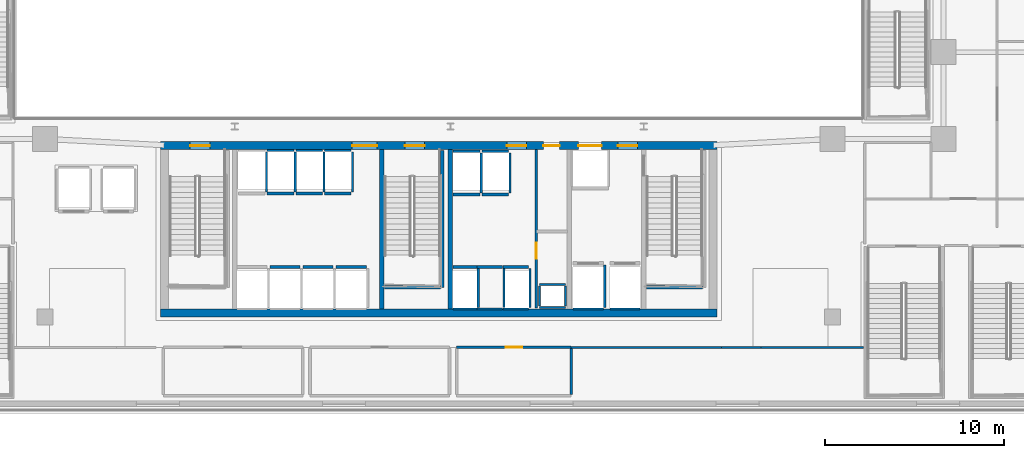
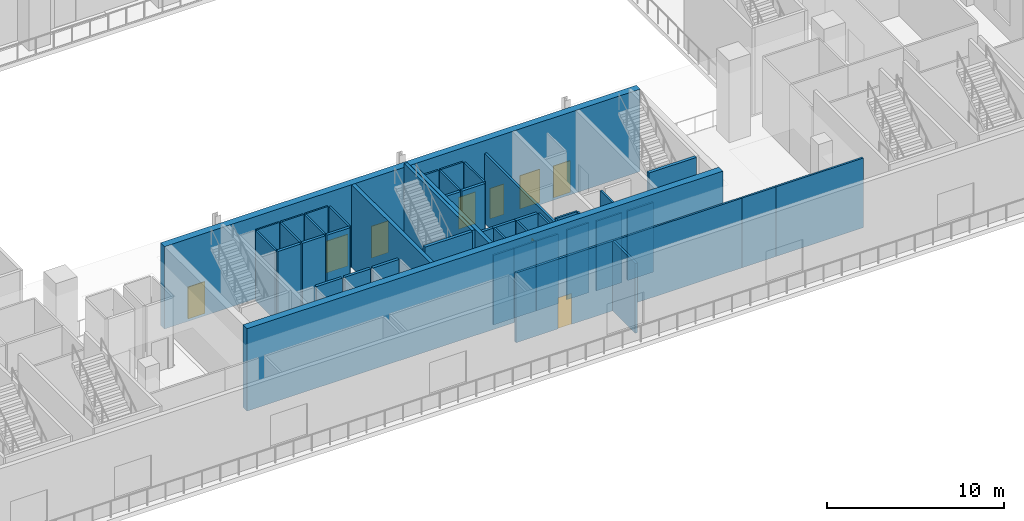
# One storey, part 9 of 29: 48 walls, 9 doors, 9 openings.
"""IFC4 building model written with IfcOpenShell, lengths in metres."""

import ifcopenshell
import ifcopenshell.guid

model = None  # the IFC model being written
_history = None  # IfcOwnerHistory: only IFC2X3 demands one
_inside = {}  # id of a spatial element -> (the spatial element, [elements in it])
_under = {}  # id of a project, library or spatial element -> (it, [spatial elements below it])
_declared = {}  # id of a project -> (the project, [libraries it declares])
_typed = {}  # id of a type object -> (the type object, [elements of that type])
_made_of = {}  # id of a material, layer set ... -> (it, [elements and type objects made of it])


def new_model(schema):
    """Start an empty IFC model of exactly this schema.

    Asked for "IFC4X3", IfcOpenShell would pick the latest addendum, in which some entities
    have other attributes; the version numbers below select the first issue.
    IFC2X3 requires an IfcOwnerHistory on every rooted entity: one is made here for all.
    """
    global model, _history
    if schema == "IFC4X3":
        model = ifcopenshell.file(schema_version=(4, 3, 0, 0))
    else:
        model = ifcopenshell.file(schema=schema)
    _inside.clear()
    _under.clear()
    _declared.clear()
    _typed.clear()
    _made_of.clear()
    _history = None
    if model.schema == "IFC2X3":
        org = make("IfcOrganization", Name="unknown")
        user = make(
            "IfcPersonAndOrganization",
            ThePerson=make("IfcPerson", FamilyName="unknown"),
            TheOrganization=org,
        )
        app = make(
            "IfcApplication",
            ApplicationDeveloper=org,
            Version="unknown",
            ApplicationFullName="unknown",
            ApplicationIdentifier="unknown",
        )
        _history = make(
            "IfcOwnerHistory",
            OwningUser=user,
            OwningApplication=app,
            ChangeAction="ADDED",
            CreationDate=0,
        )
    return model


def make(cls, **values):
    """One entity of the class cls with the attributes given. An attribute that is None is left unset."""
    return model.create_entity(
        cls, **{name: value for name, value in values.items() if value is not None}
    )


def rooted(cls, **values):
    """An entity with a GlobalId (a new one), such as an element, a storey or a relation."""
    return make(cls, GlobalId=ifcopenshell.guid.new(), OwnerHistory=_history, **values)


def si_unit(unit_type, name, prefix=None):
    """IfcSIUnit, for example si_unit("LENGTHUNIT", "METRE", prefix="MILLI")."""
    return make("IfcSIUnit", UnitType=unit_type, Prefix=prefix, Name=name)


def assignment(units):
    """IfcUnitAssignment: the units of a project."""
    return None if units is None else make("IfcUnitAssignment", Units=units)


def point(xyz):
    """IfcCartesianPoint."""
    return None if xyz is None else make("IfcCartesianPoint", Coordinates=xyz)


def direction(xyz):
    """IfcDirection."""
    return None if xyz is None else make("IfcDirection", DirectionRatios=xyz)


def frame(location, z_axis=None, x_axis=None):
    """IfcAxis2Placement3D, a coordinate frame: its origin and axes. An axis left out is left unset."""
    return make(
        "IfcAxis2Placement3D",
        Location=point(location),
        Axis=direction(z_axis),
        RefDirection=direction(x_axis),
    )


def frame_2d(location, x_axis=None):
    """IfcAxis2Placement2D, a coordinate frame in the plane: its origin and x axis."""
    return make(
        "IfcAxis2Placement2D", Location=point(location), RefDirection=direction(x_axis)
    )


def origin():
    """The frame at (0, 0, 0) with its axes left unset."""
    return frame((0.0, 0.0, 0.0))


def place(relative_to, where):
    """IfcLocalPlacement: puts the frame where relative to a parent placement (None: the world)."""
    return make(
        "IfcLocalPlacement", PlacementRelTo=relative_to, RelativePlacement=where
    )


def context(
    kind, dimensions, precision=None, world=None, true_north=None, identifier=None
):
    """IfcGeometricRepresentationContext, for example the 3D "Model" context."""
    return make(
        "IfcGeometricRepresentationContext",
        ContextIdentifier=identifier,
        ContextType=kind,
        CoordinateSpaceDimension=dimensions,
        Precision=precision,
        WorldCoordinateSystem=world,
        TrueNorth=true_north,
    )


def subcontext(parent, identifier, kind, view, scale=None):
    """IfcGeometricRepresentationSubContext, for example "Body" below "Model"."""
    return make(
        "IfcGeometricRepresentationSubContext",
        ContextIdentifier=identifier,
        ContextType=kind,
        ParentContext=parent,
        TargetScale=scale,
        TargetView=view,
    )


def project(units=None, contexts=None):
    """IfcProject with its units and contexts."""
    return rooted(
        "IfcProject",
        Name="project",
        RepresentationContexts=contexts,
        UnitsInContext=assignment(units),
    )


def spatial(cls, under=None, at=None, **own):
    """A site, building, storey or space (cls), placed at a placement, below another one or the project."""
    s = rooted(cls, ObjectPlacement=at, **own)
    if under is not None:
        _under.setdefault(under.id(), (under, []))[1].append(s)
    return s


def profile(cls, at=None, kind="AREA", **sizes):
    """A parametric profile (cls). Its sizes go by their IFC names, for example OverallWidth=200.0."""
    return make(cls, ProfileType=kind, Position=at, **sizes)


def rectangle(**sizes):
    """IfcRectangleProfileDef."""
    return profile("IfcRectangleProfileDef", **sizes)


def extrude(swept, where, along, depth):
    """IfcExtrudedAreaSolid: the profile swept, set in the frame where, extruded along a direction by depth."""
    return make(
        "IfcExtrudedAreaSolid",
        SweptArea=swept,
        Position=where,
        ExtrudedDirection=direction(along),
        Depth=depth,
    )


def shape(context_of_items, identifier, shape_type, items):
    """IfcShapeRepresentation: the items that make up one representation, for example the "Body"."""
    return make(
        "IfcShapeRepresentation",
        ContextOfItems=context_of_items,
        RepresentationIdentifier=identifier,
        RepresentationType=shape_type,
        Items=items,
    )


def material(Name=None, Category=None):
    """IfcMaterial."""
    return make("IfcMaterial", Name=Name, Category=Category)


def layer(
    of_material, thickness, ventilated=None, Name=None, Category=None, Priority=None
):
    """IfcMaterialLayer: one layer of a wall or slab, of a material (None: an air gap)."""
    return make(
        "IfcMaterialLayer",
        Material=of_material,
        LayerThickness=thickness,
        IsVentilated=ventilated,
        Name=Name,
        Category=Category,
        Priority=Priority,
    )


def layer_set(layers, Name=None):
    """IfcMaterialLayerSet."""
    return make("IfcMaterialLayerSet", MaterialLayers=layers, LayerSetName=Name)


def made_of(thing, what):
    """Note that an element or type object is made of a material, layer set ...; save() writes the relation."""
    if what is not None:
        _made_of.setdefault(what.id(), (what, []))[1].append(thing)
    return thing


def type_object(cls, material=None, **own):
    """A type object (cls), such as IfcWallType, which elements share."""
    return made_of(rooted(cls, **own), material)


def element(
    cls,
    number,
    at=None,
    inside=None,
    cuts=None,
    type_object=None,
    material=None,
    context=None,
    identifier="Body",
    shape_type=None,
    held_by="IfcProductDefinitionShape",
    body=None,
    shapes=None,
    **own,
):
    """One element of the class cls, such as IfcWall. Its Tag is "e" and its number.

    at: its placement. inside: the storey or other place that contains it. cuts: it is an
    opening in that element (IfcRelVoidsElement). A single representation is given by context,
    identifier, shape_type and body (its items); several are given by shapes. held_by: the class
    of the entity that holds the representations. save() writes the other relations.
    """
    e = rooted(cls, Tag="e%d" % number, ObjectPlacement=at, **own)
    if body is not None:
        shapes = [shape(context, identifier, shape_type, body)]
    if shapes is not None:
        e.Representation = make(held_by, Representations=shapes)
    if inside is not None:
        _inside.setdefault(inside.id(), (inside, []))[1].append(e)
    if cuts is not None:
        rooted(
            "IfcRelVoidsElement", RelatingBuildingElement=cuts, RelatedOpeningElement=e
        )
    if type_object is not None:
        _typed.setdefault(type_object.id(), (type_object, []))[1].append(e)
    return made_of(e, material)


def fill(opening, filler):
    """IfcRelFillsElement: the door or window that sits in an opening."""
    return rooted(
        "IfcRelFillsElement",
        RelatingOpeningElement=opening,
        RelatedBuildingElement=filler,
    )


def aggregate(whole, parts):
    """IfcRelAggregates: a whole, such as a stair, and the parts it consists of."""
    return rooted("IfcRelAggregates", RelatingObject=whole, RelatedObjects=parts)


def save(model, path):
    """Write the relations noted so far, then the file.

    IfcRelAggregates (storeys below a building ...), IfcRelContainedInSpatialStructure (elements
    in a storey), IfcRelDefinesByType, IfcRelAssociatesMaterial and IfcRelDeclares: one each for
    every whole, place, type object, material and project.
    """
    for whole, parts in _under.values():
        aggregate(whole, parts)
    for where, things in _inside.values():
        rooted(
            "IfcRelContainedInSpatialStructure",
            RelatedElements=things,
            RelatingStructure=where,
        )
    for kind, things in _typed.values():
        rooted("IfcRelDefinesByType", RelatedObjects=things, RelatingType=kind)
    for what, things in _made_of.values():
        rooted("IfcRelAssociatesMaterial", RelatedObjects=things, RelatingMaterial=what)
    for by, libraries in _declared.values():
        rooted("IfcRelDeclares", RelatingContext=by, RelatedDefinitions=libraries)
    model.write(path)


model = new_model("IFC4")

# Units and contexts
model_context = context("Model", 3, precision=1e-05, world=origin(), true_north=direction((0.0, 1.0)))
body_context = subcontext(model_context, "Body", "Model", "MODEL_VIEW")
ifc_project = project(units=[si_unit("LENGTHUNIT", "METRE"), si_unit("AREAUNIT", "SQUARE_METRE"), si_unit("VOLUMEUNIT", "CUBIC_METRE"), si_unit("PLANEANGLEUNIT", "RADIAN"), si_unit("MASSUNIT", "GRAM", prefix="KILO")], contexts=[model_context])

# Site, building, storey
site_placement = place(None, origin())
site = spatial("IfcSite", under=ifc_project, at=site_placement, CompositionType="ELEMENT")
building_placement = place(site_placement, origin())
building = spatial("IfcBuilding", under=site, at=building_placement, Name="Ndaravel Arena Tower", CompositionType="ELEMENT")
storey_placement = place(building_placement, frame((0.0, 0.0, 12.0)))
storey = spatial("IfcBuildingStorey", under=building, at=storey_placement, Name="L02", CompositionType="ELEMENT", Elevation=12.0)

# Wall, opening, door
ifc_material_1 = material(Name="Gypsum", Category="gypsum")
ifc_layer_1 = layer(ifc_material_1, 0.14990234375)
ifc_layer_set_1 = layer_set([ifc_layer_1], Name="Gypsum")
wall_type_1 = type_object("IfcWallType", Name="WALL-COMP-150", PredefinedType="PARTITIONING", material=ifc_layer_set_1)
wall_1_placement = place(storey_placement, frame((47.449951171875, 5.89990234375, 0.0), z_axis=(0.0, 0.0, 1.0), x_axis=(0.0, 1.0, 0.0)))
wall_1 = element("IfcWall", 1, at=wall_1_placement, inside=storey, type_object=wall_type_1, Name="L02 Core Riser Bay Partition", PredefinedType="PARTITIONING", context=body_context, shape_type="SweptSolid", body=[
    extrude(rectangle(XDim=8.85009765625, YDim=0.14990234375, at=frame_2d((4.425048828125, 0.0))), origin(), (0.0, 0.0, 1.0), 4.819091796875),
])
opening_1_placement = place(wall_1_placement, frame((2.75, 0.0, 0.0)))
opening_1 = element("IfcOpeningElement", 2, at=opening_1_placement, cuts=wall_1, Name="Opening RD-01", PredefinedType="OPENING", context=body_context, shape_type="SweptSolid", body=[
    extrude(rectangle(XDim=0.89990234375, YDim=2.10009765625, at=frame_2d((0.449951171875, 1.050048828125))), frame((0.0, 0.074951171875, 0.0), z_axis=(0.0, -1.0, 0.0), x_axis=(1.0, 0.0, 0.0)), (0.0, 0.0, 1.0), 0.14990234375),
])
ifc_material_2 = material(Name="Steel S355", Category="steel")
door_type_1 = type_object("IfcDoorType", Name="DT-08-RISER-900", OperationType="SINGLE_SWING_LEFT", PredefinedType="DOOR", material=ifc_material_2)
door_1_placement = place(opening_1_placement, origin())
door_1 = element("IfcDoor", 3, at=door_1_placement, inside=storey, type_object=door_type_1, Name="L02 Electrical Riser Door", OperationType="SINGLE_SWING_RIGHT", OverallHeight=2.10009765625, OverallWidth=0.89990234375, PredefinedType="DOOR", context=body_context, shape_type="SweptSolid", body=[
    extrude(rectangle(XDim=0.89990234375, YDim=2.10009765625, at=frame_2d((0.449951171875, 1.050048828125))), frame((0.0, 0.02490234375, 0.0), z_axis=(0.0, -1.0, 0.0), x_axis=(1.0, 0.0, 0.0)), (0.0, 0.0, 1.0), 0.050048828125),
])
fill(opening_1, door_1)

# Walls
ifc_material_3 = material(Name="Concrete C60/75", Category="concrete")
ifc_layer_2 = layer(ifc_material_3, 0.25)
ifc_layer_set_2 = layer_set([ifc_layer_2], Name="Concrete C60/75")
wall_type_2 = type_object("IfcWallType", Name="WALL-CORE-250", PredefinedType="SOLIDWALL", material=ifc_layer_set_2)
for number, where, z_axis, x_axis, name in (
    (4, (38.800048828125, 5.85009765625, 0.0), (0.0, 0.0, 1.0), (0.0, 1.0, 0.0), "L02 Core Web Shear Wall 2"),
    (5, (42.64990234375, 5.85009765625, 0.0), (0.0, 0.0, 1.0), (0.0, 1.0, 0.0), "L02 Core Web Shear Wall 3"),
):
    element("IfcWall", number, at=place(storey_placement, frame(where, z_axis=z_axis, x_axis=x_axis)), inside=storey, type_object=wall_type_2, Name=name, PredefinedType="SOLIDWALL", context=body_context, shape_type="SweptSolid", body=[
        extrude(rectangle(XDim=8.89990234375, YDim=0.25, at=frame_2d((4.449951171875, 0.0))), origin(), (0.0, 0.0, 1.0), 5.699951171875),
    ])

# Wall, openings, doors
ifc_material_4 = material(Name="Concrete C60/75", Category="concrete")
ifc_layer_3 = layer(ifc_material_4, 0.449951171875)
ifc_layer_set_3 = layer_set([ifc_layer_3], Name="Concrete C60/75")
wall_type_3 = type_object("IfcWallType", Name="WALL-CORE-450", PredefinedType="SOLIDWALL", material=ifc_layer_set_3)
wall_2_placement = place(storey_placement, frame((26.449951171875, 14.97509765625, 0.0), z_axis=(0.0, 0.0, 1.0), x_axis=(1.0, 0.0, 0.0)))
wall_2 = element("IfcWall", 6, at=wall_2_placement, inside=storey, type_object=wall_type_3, Name="L02 Core North Shear Wall", PredefinedType="SOLIDWALL", context=body_context, shape_type="SweptSolid", body=[
    extrude(rectangle(XDim=31.10009765625, YDim=0.449951171875, at=frame_2d((15.550048828125, 0.0))), origin(), (0.0, 0.0, 1.0), 5.699951171875),
])
opening_2_placement = place(wall_2_placement, frame((1.64990234375, 0.0, 0.0)))
opening_2 = element("IfcOpeningElement", 7, at=opening_2_placement, cuts=wall_2, Name="Opening FD-01", PredefinedType="OPENING", context=body_context, shape_type="SweptSolid", body=[
    extrude(rectangle(XDim=1.10009765625, YDim=2.199951171875, at=frame_2d((0.550048828125, 1.10009765625))), frame((0.0, 0.22509765625, 0.0), z_axis=(0.0, -1.0, 0.0), x_axis=(1.0, 0.0, 0.0)), (0.0, 0.0, 1.0), 0.449951171875),
])
opening_3_placement = place(wall_2_placement, frame((13.64990234375, 0.0, 0.0)))
opening_3 = element("IfcOpeningElement", 8, at=opening_3_placement, cuts=wall_2, Name="Opening FD-01", PredefinedType="OPENING", context=body_context, shape_type="SweptSolid", body=[
    extrude(rectangle(XDim=1.10009765625, YDim=2.199951171875, at=frame_2d((0.550048828125, 1.10009765625))), frame((0.0, 0.22509765625, 0.0), z_axis=(0.0, -1.0, 0.0), x_axis=(1.0, 0.0, 0.0)), (0.0, 0.0, 1.0), 0.449951171875),
])
opening_4_placement = place(wall_2_placement, frame((25.550048828125, 0.0, 0.0)))
opening_4 = element("IfcOpeningElement", 9, at=opening_4_placement, cuts=wall_2, Name="Opening FD-01", PredefinedType="OPENING", context=body_context, shape_type="SweptSolid", body=[
    extrude(rectangle(XDim=1.10009765625, YDim=2.199951171875, at=frame_2d((0.550048828125, 1.10009765625))), frame((0.0, 0.22509765625, 0.0), z_axis=(0.0, -1.0, 0.0), x_axis=(1.0, 0.0, 0.0)), (0.0, 0.0, 1.0), 0.449951171875),
])
opening_5_placement = place(wall_2_placement, frame((10.699951171875, 0.0, 0.0)))
opening_5 = element("IfcOpeningElement", 10, at=opening_5_placement, cuts=wall_2, Name="Opening ID-02", PredefinedType="OPENING", context=body_context, shape_type="SweptSolid", body=[
    extrude(rectangle(XDim=1.39990234375, YDim=2.199951171875, at=frame_2d((0.699951171875, 1.10009765625))), frame((0.0, 0.22509765625, 0.0), z_axis=(0.0, -1.0, 0.0), x_axis=(1.0, 0.0, 0.0)), (0.0, 0.0, 1.0), 0.449951171875),
])
opening_6_placement = place(wall_2_placement, frame((19.35009765625, 0.0, 0.0)))
opening_6 = element("IfcOpeningElement", 11, at=opening_6_placement, cuts=wall_2, Name="Opening FD-01", PredefinedType="OPENING", context=body_context, shape_type="SweptSolid", body=[
    extrude(rectangle(XDim=1.10009765625, YDim=2.199951171875, at=frame_2d((0.550048828125, 1.10009765625))), frame((0.0, 0.22509765625, 0.0), z_axis=(0.0, -1.0, 0.0), x_axis=(1.0, 0.0, 0.0)), (0.0, 0.0, 1.0), 0.449951171875),
])
opening_7_placement = place(wall_2_placement, frame((21.39990234375, 0.0, 0.0)))
opening_7 = element("IfcOpeningElement", 12, at=opening_7_placement, cuts=wall_2, Name="Opening RD-01", PredefinedType="OPENING", context=body_context, shape_type="SweptSolid", body=[
    extrude(rectangle(XDim=0.89990234375, YDim=2.10009765625, at=frame_2d((0.449951171875, 1.050048828125))), frame((0.0, 0.22509765625, 0.0), z_axis=(0.0, -1.0, 0.0), x_axis=(1.0, 0.0, 0.0)), (0.0, 0.0, 1.0), 0.449951171875),
])
opening_8_placement = place(wall_2_placement, frame((23.35009765625, 0.0, 0.0)))
opening_8 = element("IfcOpeningElement", 13, at=opening_8_placement, cuts=wall_2, Name="Opening LD-02", PredefinedType="OPENING", context=body_context, shape_type="SweptSolid", body=[
    extrude(rectangle(XDim=1.300048828125, YDim=2.300048828125, at=frame_2d((0.64990234375, 1.14990234375))), frame((0.0, 0.22509765625, 0.0), z_axis=(0.0, -1.0, 0.0), x_axis=(1.0, 0.0, 0.0)), (0.0, 0.0, 1.0), 0.449951171875),
])
ifc_material_5 = material(Name="Steel S355", Category="steel")
door_type_2 = type_object("IfcDoorType", Name="DT-01-STAIR-1100", OperationType="SINGLE_SWING_LEFT", PredefinedType="DOOR", material=ifc_material_5)
door_2_placement = place(opening_2_placement, origin())
door_2 = element("IfcDoor", 14, at=door_2_placement, inside=storey, type_object=door_type_2, Name="L02 Exit Stair ST-1 Door", OperationType="SINGLE_SWING_LEFT", OverallHeight=2.199951171875, OverallWidth=1.10009765625, PredefinedType="DOOR", context=body_context, shape_type="SweptSolid", body=[
    extrude(rectangle(XDim=1.10009765625, YDim=2.199951171875, at=frame_2d((0.550048828125, 1.10009765625))), frame((0.0, 0.02490234375, 0.0), z_axis=(0.0, -1.0, 0.0), x_axis=(1.0, 0.0, 0.0)), (0.0, 0.0, 1.0), 0.050048828125),
])
fill(opening_2, door_2)
door_3_placement = place(opening_3_placement, origin())
door_3 = element("IfcDoor", 15, at=door_3_placement, inside=storey, type_object=door_type_2, Name="L02 Exit Stair ST-2 Door", OperationType="SINGLE_SWING_RIGHT", OverallHeight=2.199951171875, OverallWidth=1.10009765625, PredefinedType="DOOR", context=body_context, shape_type="SweptSolid", body=[
    extrude(rectangle(XDim=1.10009765625, YDim=2.199951171875, at=frame_2d((0.550048828125, 1.10009765625))), frame((0.0, 0.02490234375, 0.0), z_axis=(0.0, -1.0, 0.0), x_axis=(1.0, 0.0, 0.0)), (0.0, 0.0, 1.0), 0.050048828125),
])
fill(opening_3, door_3)
door_4_placement = place(opening_4_placement, origin())
door_4 = element("IfcDoor", 16, at=door_4_placement, inside=storey, type_object=door_type_2, Name="L02 Firefighting Lift Lobby Door", OperationType="SINGLE_SWING_RIGHT", OverallHeight=2.199951171875, OverallWidth=1.10009765625, PredefinedType="DOOR", context=body_context, shape_type="SweptSolid", body=[
    extrude(rectangle(XDim=1.10009765625, YDim=2.199951171875, at=frame_2d((0.550048828125, 1.10009765625))), frame((0.0, 0.02490234375, 0.0), z_axis=(0.0, -1.0, 0.0), x_axis=(1.0, 0.0, 0.0)), (0.0, 0.0, 1.0), 0.050048828125),
])
fill(opening_4, door_4)
door_5_placement = place(opening_6_placement, origin())
door_5 = element("IfcDoor", 17, at=door_5_placement, inside=storey, type_object=door_type_2, Name="L02 Express Lift Lobby Entry Door", OperationType="SINGLE_SWING_LEFT", OverallHeight=2.199951171875, OverallWidth=1.10009765625, PredefinedType="DOOR", context=body_context, shape_type="SweptSolid", body=[
    extrude(rectangle(XDim=1.10009765625, YDim=2.199951171875, at=frame_2d((0.550048828125, 1.10009765625))), frame((0.0, 0.02490234375, 0.0), z_axis=(0.0, -1.0, 0.0), x_axis=(1.0, 0.0, 0.0)), (0.0, 0.0, 1.0), 0.050048828125),
])
fill(opening_6, door_5)
ifc_material_6 = material(Name="Timber", Category="wood")
door_type_3 = type_object("IfcDoorType", Name="DT-04-SUITE-1400", OperationType="DOUBLE_DOOR_SINGLE_SWING", PredefinedType="DOOR", material=ifc_material_6)
door_6_placement = place(opening_5_placement, origin())
door_6 = element("IfcDoor", 18, at=door_6_placement, inside=storey, type_object=door_type_3, Name="L02 West Lift Lobby Entry Door", OperationType="DOUBLE_DOOR_SINGLE_SWING", OverallHeight=2.199951171875, OverallWidth=1.39990234375, PredefinedType="DOOR", context=body_context, shape_type="SweptSolid", body=[
    extrude(rectangle(XDim=1.39990234375, YDim=2.199951171875, at=frame_2d((0.699951171875, 1.10009765625))), frame((0.0, 0.02490234375, 0.0), z_axis=(0.0, -1.0, 0.0), x_axis=(1.0, 0.0, 0.0)), (0.0, 0.0, 1.0), 0.050048828125),
])
fill(opening_5, door_6)
ifc_material_7 = material(Name="Steel S355", Category="steel")
door_type_4 = type_object("IfcDoorType", Name="DT-07-SVLIFT-1300", OperationType="DOUBLE_DOOR_SLIDING", PredefinedType="DOOR", material=ifc_material_7)
door_7_placement = place(opening_8_placement, origin())
door_7 = element("IfcDoor", 19, at=door_7_placement, inside=storey, type_object=door_type_4, Name="L02 Lift SVL-1 Sliding Landing Door", OperationType="DOUBLE_DOOR_SLIDING", OverallHeight=2.300048828125, OverallWidth=1.300048828125, PredefinedType="DOOR", context=body_context, shape_type="SweptSolid", body=[
    extrude(rectangle(XDim=1.300048828125, YDim=2.300048828125, at=frame_2d((0.64990234375, 1.14990234375))), frame((0.0, 0.02490234375, 0.0), z_axis=(0.0, -1.0, 0.0), x_axis=(1.0, 0.0, 0.0)), (0.0, 0.0, 1.0), 0.050048828125),
])
fill(opening_8, door_7)
door_8_placement = place(opening_7_placement, origin())
door_8 = element("IfcDoor", 20, at=door_8_placement, inside=storey, type_object=door_type_1, Name="L02 Core Service Riser North Door", OperationType="SINGLE_SWING_LEFT", OverallHeight=2.10009765625, OverallWidth=0.89990234375, PredefinedType="DOOR", context=body_context, shape_type="SweptSolid", body=[
    extrude(rectangle(XDim=0.89990234375, YDim=2.10009765625, at=frame_2d((0.449951171875, 1.050048828125))), frame((0.0, 0.02490234375, 0.0), z_axis=(0.0, -1.0, 0.0), x_axis=(1.0, 0.0, 0.0)), (0.0, 0.0, 1.0), 0.050048828125),
])
fill(opening_7, door_8)

# Walls
wall_3_placement = place(storey_placement, frame((26.449951171875, 5.625, 0.0), z_axis=(0.0, 0.0, 1.0), x_axis=(1.0, 0.0, 0.0)))
element("IfcWall", 21, at=wall_3_placement, inside=storey, type_object=wall_type_3, Name="L02 Core South Shear Wall", PredefinedType="SOLIDWALL", context=body_context, shape_type="SweptSolid", body=[
    extrude(rectangle(XDim=31.10009765625, YDim=0.449951171875, at=frame_2d((15.550048828125, 0.0))), origin(), (0.0, 0.0, 1.0), 5.699951171875),
])
ifc_material_8 = material(Name="Gypsum", Category="gypsum")
ifc_layer_4 = layer(ifc_material_8, 0.125)
ifc_layer_set_4 = layer_set([ifc_layer_4], Name="Gypsum")
wall_type_4 = type_object("IfcWallType", Name="WALL-PART-125", PredefinedType="PARTITIONING", material=ifc_layer_set_4)
wall_4_placement = place(storey_placement, frame((60.0, 3.699951171875, 0.0), z_axis=(0.0, 0.0, 1.0), x_axis=(-1.0, 0.0, 0.0)))
element("IfcWall", 22, at=wall_4_placement, inside=storey, type_object=wall_type_4, Name="L02 Interior Partition 001", PredefinedType="PARTITIONING", context=body_context, shape_type="SweptSolid", body=[
    extrude(rectangle(XDim=2.199951171875, YDim=0.125, at=frame_2d((1.10009765625, 0.0))), origin(), (0.0, 0.0, 1.0), 4.819091796875),
])
wall_5_placement = place(storey_placement, frame((57.800048828125, 3.699951171875, 0.0), z_axis=(0.0, 0.0, 1.0), x_axis=(-1.0, 0.0, 0.0)))
element("IfcWall", 23, at=wall_5_placement, inside=storey, type_object=wall_type_4, Name="L02 Interior Partition 002", PredefinedType="PARTITIONING", context=body_context, shape_type="SweptSolid", body=[
    extrude(rectangle(XDim=8.400146484375, YDim=0.125, at=frame_2d((4.2001953125, 0.0))), origin(), (0.0, 0.0, 1.0), 4.819091796875),
])
wall_6_placement = place(storey_placement, frame((65.72998046875, 3.699951171875, 0.0), z_axis=(0.0, 0.0, 1.0), x_axis=(-1.0, 0.0, 0.0)))
element("IfcWall", 24, at=wall_6_placement, inside=storey, type_object=wall_type_4, Name="L02 Interior Partition 029", PredefinedType="PARTITIONING", context=body_context, shape_type="SweptSolid", body=[
    extrude(rectangle(XDim=5.72998046875, YDim=0.125, at=frame_2d((2.864990234375, 0.0))), origin(), (0.0, 0.0, 1.0), 4.819091796875),
])
ifc_material_9 = material(Name="Concrete C40/50", Category="concrete")
ifc_layer_5 = layer(ifc_material_9, 0.1201171875)
ifc_layer_set_5 = layer_set([ifc_layer_5], Name="Concrete C40/50")
wall_type_5 = type_object("IfcWallType", Name="WALL-SHAFT-120", PredefinedType="SOLIDWALL", material=ifc_layer_set_5)
for number, where, z_axis, x_axis, name in (
    (25, (47.6201171875, 5.919921875, 0.0), (0.0, 0.0, 1.0), (1.0, 0.0, 0.0), "L02 MEP Riser Shaft S Wall"),
    (26, (47.6201171875, 7.219970703125, 0.0), (0.0, 0.0, 1.0), (1.0, 0.0, 0.0), "L02 MEP Riser Shaft N Wall"),
):
    element("IfcWall", number, at=place(storey_placement, frame(where, z_axis=z_axis, x_axis=x_axis)), inside=storey, type_object=wall_type_5, Name=name, PredefinedType="SOLIDWALL", context=body_context, shape_type="SweptSolid", body=[
        extrude(rectangle(XDim=1.4599609375, YDim=0.1201171875, at=frame_2d((0.72998046875, 0.0))), origin(), (0.0, 0.0, 1.0), 4.819091796875),
    ])
for number, where, z_axis, x_axis, name in (
    (27, (47.6201171875, 6.0, 0.0), (0.0, 0.0, 1.0), (0.0, 1.0, 0.0), "L02 MEP Riser Shaft W Wall"),
    (28, (49.080078125, 6.0, 0.0), (0.0, 0.0, 1.0), (0.0, 1.0, 0.0), "L02 MEP Riser Shaft E Wall"),
):
    element("IfcWall", number, at=place(storey_placement, frame(where, z_axis=z_axis, x_axis=x_axis)), inside=storey, type_object=wall_type_5, Name=name, PredefinedType="SOLIDWALL", context=body_context, shape_type="SweptSolid", body=[
        extrude(rectangle(XDim=1.139892578125, YDim=0.1201171875, at=frame_2d((0.56982421875, 0.0))), origin(), (0.0, 0.0, 1.0), 4.819091796875),
    ])
wall_7_placement = place(storey_placement, frame((32.375, 12.389892578125, 0.0), z_axis=(0.0, 0.0, 1.0), x_axis=(0.0, 1.0, 0.0)))
element("IfcWall", 29, at=wall_7_placement, inside=storey, type_object=wall_type_5, Name="L02 PL-M1 Shaft Side R Wall", PredefinedType="SOLIDWALL", context=body_context, shape_type="SweptSolid", body=[
    extrude(rectangle(XDim=2.230224609375, YDim=0.1201171875, at=frame_2d((1.115234375, 0.0))), origin(), (0.0, 0.0, 1.0), 4.819091796875),
])
wall_8_placement = place(storey_placement, frame((32.405029296875, 14.7099609375, 0.0), z_axis=(0.0, 0.0, 1.0), x_axis=(1.0, 0.0, 0.0)))
element("IfcWall", 30, at=wall_8_placement, inside=storey, type_object=wall_type_5, Name="L02 PL-M2 Shaft Rear Wall", PredefinedType="SOLIDWALL", context=body_context, shape_type="SweptSolid", body=[
    extrude(rectangle(XDim=1.489990234375, YDim=0.1201171875, at=frame_2d((0.7451171875, 0.0))), origin(), (0.0, 0.0, 1.0), 4.819091796875),
])
wall_9_placement = place(storey_placement, frame((33.97509765625, 12.389892578125, 0.0), z_axis=(0.0, 0.0, 1.0), x_axis=(0.0, 1.0, 0.0)))
element("IfcWall", 31, at=wall_9_placement, inside=storey, type_object=wall_type_5, Name="L02 PL-M2 Shaft Side R Wall", PredefinedType="SOLIDWALL", context=body_context, shape_type="SweptSolid", body=[
    extrude(rectangle(XDim=2.230224609375, YDim=0.1201171875, at=frame_2d((1.115234375, 0.0))), origin(), (0.0, 0.0, 1.0), 4.819091796875),
])
wall_10_placement = place(storey_placement, frame((34.0048828125, 14.7099609375, 0.0), z_axis=(0.0, 0.0, 1.0), x_axis=(1.0, 0.0, 0.0)))
element("IfcWall", 32, at=wall_10_placement, inside=storey, type_object=wall_type_5, Name="L02 PL-M3 Shaft Rear Wall", PredefinedType="SOLIDWALL", context=body_context, shape_type="SweptSolid", body=[
    extrude(rectangle(XDim=1.490234375, YDim=0.1201171875, at=frame_2d((0.7451171875, 0.0))), origin(), (0.0, 0.0, 1.0), 4.819091796875),
])
wall_11_placement = place(storey_placement, frame((35.574951171875, 12.389892578125, 0.0), z_axis=(0.0, 0.0, 1.0), x_axis=(0.0, 1.0, 0.0)))
element("IfcWall", 33, at=wall_11_placement, inside=storey, type_object=wall_type_5, Name="L02 PL-M3 Shaft Side R Wall", PredefinedType="SOLIDWALL", context=body_context, shape_type="SweptSolid", body=[
    extrude(rectangle(XDim=2.230224609375, YDim=0.1201171875, at=frame_2d((1.115234375, 0.0))), origin(), (0.0, 0.0, 1.0), 4.819091796875),
])
wall_12_placement = place(storey_placement, frame((35.60498046875, 14.7099609375, 0.0), z_axis=(0.0, 0.0, 1.0), x_axis=(1.0, 0.0, 0.0)))
element("IfcWall", 34, at=wall_12_placement, inside=storey, type_object=wall_type_5, Name="L02 PL-M4 Shaft Rear Wall", PredefinedType="SOLIDWALL", context=body_context, shape_type="SweptSolid", body=[
    extrude(rectangle(XDim=1.489990234375, YDim=0.1201171875, at=frame_2d((0.7451171875, 0.0))), origin(), (0.0, 0.0, 1.0), 4.819091796875),
])
wall_13_placement = place(storey_placement, frame((37.175048828125, 12.389892578125, 0.0), z_axis=(0.0, 0.0, 1.0), x_axis=(0.0, 1.0, 0.0)))
element("IfcWall", 35, at=wall_13_placement, inside=storey, type_object=wall_type_5, Name="L02 PL-M4 Shaft Side R Wall", PredefinedType="SOLIDWALL", context=body_context, shape_type="SweptSolid", body=[
    extrude(rectangle(XDim=2.230224609375, YDim=0.1201171875, at=frame_2d((1.115234375, 0.0))), origin(), (0.0, 0.0, 1.0), 4.819091796875),
])
wall_14_placement = place(storey_placement, frame((42.780029296875, 5.840087890625, 0.0), z_axis=(0.0, 0.0, 1.0), x_axis=(1.0, 0.0, 0.0)))
element("IfcWall", 36, at=wall_14_placement, inside=storey, type_object=wall_type_5, Name="L02 PL-H1 Shaft Rear Wall", PredefinedType="SOLIDWALL", context=body_context, shape_type="SweptSolid", body=[
    extrude(rectangle(XDim=1.340087890625, YDim=0.1201171875, at=frame_2d((0.669921875, 0.0))), origin(), (0.0, 0.0, 1.0), 4.819091796875),
])
wall_15_placement = place(storey_placement, frame((44.199951171875, 5.929931640625, 0.0), z_axis=(0.0, 0.0, 1.0), x_axis=(0.0, 1.0, 0.0)))
element("IfcWall", 37, at=wall_15_placement, inside=storey, type_object=wall_type_5, Name="L02 PL-H1 Shaft Side R Wall", PredefinedType="SOLIDWALL", context=body_context, shape_type="SweptSolid", body=[
    extrude(rectangle(XDim=2.18017578125, YDim=0.1201171875, at=frame_2d((1.090087890625, 0.0))), origin(), (0.0, 0.0, 1.0), 4.819091796875),
])
wall_16_placement = place(storey_placement, frame((44.1298828125, 5.840087890625, 0.0), z_axis=(0.0, 0.0, 1.0), x_axis=(1.0, 0.0, 0.0)))
element("IfcWall", 38, at=wall_16_placement, inside=storey, type_object=wall_type_5, Name="L02 PL-H2 Shaft Rear Wall", PredefinedType="SOLIDWALL", context=body_context, shape_type="SweptSolid", body=[
    extrude(rectangle(XDim=1.440185546875, YDim=0.1201171875, at=frame_2d((0.72021484375, 0.0))), origin(), (0.0, 0.0, 1.0), 4.819091796875),
])
wall_17_placement = place(storey_placement, frame((45.64990234375, 5.929931640625, 0.0), z_axis=(0.0, 0.0, 1.0), x_axis=(0.0, 1.0, 0.0)))
element("IfcWall", 39, at=wall_17_placement, inside=storey, type_object=wall_type_5, Name="L02 PL-H2 Shaft Side R Wall", PredefinedType="SOLIDWALL", context=body_context, shape_type="SweptSolid", body=[
    extrude(rectangle(XDim=2.18017578125, YDim=0.1201171875, at=frame_2d((1.090087890625, 0.0))), origin(), (0.0, 0.0, 1.0), 4.819091796875),
])
wall_18_placement = place(storey_placement, frame((45.580078125, 5.840087890625, 0.0), z_axis=(0.0, 0.0, 1.0), x_axis=(1.0, 0.0, 0.0)))
element("IfcWall", 40, at=wall_18_placement, inside=storey, type_object=wall_type_5, Name="L02 PL-H3 Shaft Rear Wall", PredefinedType="SOLIDWALL", context=body_context, shape_type="SweptSolid", body=[
    extrude(rectangle(XDim=1.43994140625, YDim=0.1201171875, at=frame_2d((0.719970703125, 0.0))), origin(), (0.0, 0.0, 1.0), 4.819091796875),
])
wall_19_placement = place(storey_placement, frame((47.10009765625, 5.929931640625, 0.0), z_axis=(0.0, 0.0, 1.0), x_axis=(0.0, 1.0, 0.0)))
element("IfcWall", 41, at=wall_19_placement, inside=storey, type_object=wall_type_5, Name="L02 PL-H3 Shaft Side R Wall", PredefinedType="SOLIDWALL", context=body_context, shape_type="SweptSolid", body=[
    extrude(rectangle(XDim=2.18017578125, YDim=0.1201171875, at=frame_2d((1.090087890625, 0.0))), origin(), (0.0, 0.0, 1.0), 4.819091796875),
])
wall_20_placement = place(storey_placement, frame((42.804931640625, 14.659912109375, 0.0), z_axis=(0.0, 0.0, 1.0), x_axis=(1.0, 0.0, 0.0)))
element("IfcWall", 42, at=wall_20_placement, inside=storey, type_object=wall_type_5, Name="L02 PL-OBS1 Shaft Rear Wall", PredefinedType="SOLIDWALL", context=body_context, shape_type="SweptSolid", body=[
    extrude(rectangle(XDim=1.489990234375, YDim=0.1201171875, at=frame_2d((0.7451171875, 0.0))), origin(), (0.0, 0.0, 1.0), 4.819091796875),
])
wall_21_placement = place(storey_placement, frame((44.375, 12.340087890625, 0.0), z_axis=(0.0, 0.0, 1.0), x_axis=(0.0, 1.0, 0.0)))
element("IfcWall", 43, at=wall_21_placement, inside=storey, type_object=wall_type_5, Name="L02 PL-OBS1 Shaft Side R Wall", PredefinedType="SOLIDWALL", context=body_context, shape_type="SweptSolid", body=[
    extrude(rectangle(XDim=2.22998046875, YDim=0.1201171875, at=frame_2d((1.114990234375, 0.0))), origin(), (0.0, 0.0, 1.0), 4.819091796875),
])
wall_22_placement = place(storey_placement, frame((44.405029296875, 14.659912109375, 0.0), z_axis=(0.0, 0.0, 1.0), x_axis=(1.0, 0.0, 0.0)))
element("IfcWall", 44, at=wall_22_placement, inside=storey, type_object=wall_type_5, Name="L02 PL-OBS2 Shaft Rear Wall", PredefinedType="SOLIDWALL", context=body_context, shape_type="SweptSolid", body=[
    extrude(rectangle(XDim=1.489990234375, YDim=0.1201171875, at=frame_2d((0.7451171875, 0.0))), origin(), (0.0, 0.0, 1.0), 4.819091796875),
])
wall_23_placement = place(storey_placement, frame((45.97509765625, 12.340087890625, 0.0), z_axis=(0.0, 0.0, 1.0), x_axis=(0.0, 1.0, 0.0)))
element("IfcWall", 45, at=wall_23_placement, inside=storey, type_object=wall_type_5, Name="L02 PL-OBS2 Shaft Side R Wall", PredefinedType="SOLIDWALL", context=body_context, shape_type="SweptSolid", body=[
    extrude(rectangle(XDim=2.22998046875, YDim=0.1201171875, at=frame_2d((1.114990234375, 0.0))), origin(), (0.0, 0.0, 1.0), 4.819091796875),
])
wall_24_placement = place(storey_placement, frame((49.5048828125, 5.840087890625, 0.0), z_axis=(0.0, 0.0, 1.0), x_axis=(1.0, 0.0, 0.0)))
element("IfcWall", 46, at=wall_24_placement, inside=storey, type_object=wall_type_5, Name="L02 FFL-1 Shaft Rear Wall", PredefinedType="SOLIDWALL", context=body_context, shape_type="SweptSolid", body=[
    extrude(rectangle(XDim=1.690185546875, YDim=0.1201171875, at=frame_2d((0.84521484375, 0.0))), origin(), (0.0, 0.0, 1.0), 4.819091796875),
])
wall_25_placement = place(storey_placement, frame((51.27490234375, 5.929931640625, 0.0), z_axis=(0.0, 0.0, 1.0), x_axis=(0.0, 1.0, 0.0)))
element("IfcWall", 47, at=wall_25_placement, inside=storey, type_object=wall_type_5, Name="L02 FFL-1 Shaft Side R Wall", PredefinedType="SOLIDWALL", context=body_context, shape_type="SweptSolid", body=[
    extrude(rectangle(XDim=2.380126953125, YDim=0.1201171875, at=frame_2d((1.18994140625, 0.0))), origin(), (0.0, 0.0, 1.0), 4.819091796875),
])
wall_26_placement = place(storey_placement, frame((51.554931640625, 5.840087890625, 0.0), z_axis=(0.0, 0.0, 1.0), x_axis=(1.0, 0.0, 0.0)))
element("IfcWall", 48, at=wall_26_placement, inside=storey, type_object=wall_type_5, Name="L02 FFL-2 Shaft Rear Wall", PredefinedType="SOLIDWALL", context=body_context, shape_type="SweptSolid", body=[
    extrude(rectangle(XDim=1.690185546875, YDim=0.1201171875, at=frame_2d((0.84521484375, 0.0))), origin(), (0.0, 0.0, 1.0), 4.819091796875),
])
ifc_material_10 = material(Name="Concrete C40/50", Category="concrete")
ifc_layer_6 = layer(ifc_material_10, 0.199951171875)
ifc_layer_set_6 = layer_set([ifc_layer_6], Name="Concrete C40/50")
wall_type_6 = type_object("IfcWallType", Name="WALL-SHAFT-200", PredefinedType="SOLIDWALL", material=ifc_layer_set_6)
wall_27_placement = place(storey_placement, frame((42.18994140625, 14.699951171875, 0.0), z_axis=(0.0, 0.0, 1.0), x_axis=(0.0, -1.0, 0.0)))
element("IfcWall", 49, at=wall_27_placement, inside=storey, type_object=wall_type_6, Name="L02 ST-2 Structural Shaft Wall Right", PredefinedType="SOLIDWALL", context=body_context, shape_type="SweptSolid", body=[
    extrude(rectangle(XDim=7.64990234375, YDim=0.199951171875, at=frame_2d((3.824951171875, 0.0))), origin(), (0.0, 0.0, 1.0), 6.0),
])
for number, where, z_axis, x_axis, name in (
    (50, (38.969970703125, 7.050048828125, 0.0), (0.0, 0.0, 1.0), (1.0, 0.0, 0.0), "L02 ST-2 Structural Shaft Wall Far"),
    (51, (53.6201171875, 7.050048828125, 0.0), (0.0, 0.0, 1.0), (1.0, 0.0, 0.0), "L02 ST-3 Structural Shaft Wall Far"),
):
    element("IfcWall", number, at=place(storey_placement, frame(where, z_axis=z_axis, x_axis=x_axis)), inside=storey, type_object=wall_type_6, Name=name, PredefinedType="SOLIDWALL", context=body_context, shape_type="SweptSolid", body=[
        extrude(rectangle(XDim=3.114990234375, YDim=0.199951171875, at=frame_2d((1.5576171875, 0.0))), origin(), (0.0, 0.0, 1.0), 6.0),
    ])
wall_28_placement = place(storey_placement, frame((32.554931640625, 8.199951171875, 0.0), z_axis=(0.0, 0.0, 1.0), x_axis=(1.0, 0.0, 0.0)))
element("IfcWall", 52, at=wall_28_placement, inside=storey, type_object=wall_type_6, Name="L02 PL-L2 Shaft Landing Wall", PredefinedType="SOLIDWALL", context=body_context, shape_type="SweptSolid", body=[
    extrude(rectangle(XDim=1.690185546875, YDim=0.179931640625, at=frame_2d((0.84521484375, 0.0))), origin(), (0.0, 0.0, 1.0), 4.819091796875),
])
wall_29_placement = place(storey_placement, frame((34.405029296875, 8.199951171875, 0.0), z_axis=(0.0, 0.0, 1.0), x_axis=(1.0, 0.0, 0.0)))
element("IfcWall", 53, at=wall_29_placement, inside=storey, type_object=wall_type_6, Name="L02 PL-L3 Shaft Landing Wall", PredefinedType="SOLIDWALL", context=body_context, shape_type="SweptSolid", body=[
    extrude(rectangle(XDim=1.68994140625, YDim=0.179931640625, at=frame_2d((0.844970703125, 0.0))), origin(), (0.0, 0.0, 1.0), 4.819091796875),
])
wall_30_placement = place(storey_placement, frame((36.2548828125, 8.199951171875, 0.0), z_axis=(0.0, 0.0, 1.0), x_axis=(1.0, 0.0, 0.0)))
element("IfcWall", 54, at=wall_30_placement, inside=storey, type_object=wall_type_6, Name="L02 PL-L4 Shaft Landing Wall", PredefinedType="SOLIDWALL", context=body_context, shape_type="SweptSolid", body=[
    extrude(rectangle(XDim=1.690185546875, YDim=0.179931640625, at=frame_2d((0.84521484375, 0.0))), origin(), (0.0, 0.0, 1.0), 4.819091796875),
])
wall_31_placement = place(storey_placement, frame((32.405029296875, 12.300048828125, 0.0), z_axis=(0.0, 0.0, 1.0), x_axis=(1.0, 0.0, 0.0)))
element("IfcWall", 55, at=wall_31_placement, inside=storey, type_object=wall_type_6, Name="L02 PL-M2 Shaft Landing Wall", PredefinedType="SOLIDWALL", context=body_context, shape_type="SweptSolid", body=[
    extrude(rectangle(XDim=1.489990234375, YDim=0.179931640625, at=frame_2d((0.7451171875, 0.0))), origin(), (0.0, 0.0, 1.0), 4.819091796875),
])
wall_32_placement = place(storey_placement, frame((34.0048828125, 12.300048828125, 0.0), z_axis=(0.0, 0.0, 1.0), x_axis=(1.0, 0.0, 0.0)))
element("IfcWall", 56, at=wall_32_placement, inside=storey, type_object=wall_type_6, Name="L02 PL-M3 Shaft Landing Wall", PredefinedType="SOLIDWALL", context=body_context, shape_type="SweptSolid", body=[
    extrude(rectangle(XDim=1.490234375, YDim=0.179931640625, at=frame_2d((0.7451171875, 0.0))), origin(), (0.0, 0.0, 1.0), 4.819091796875),
])
wall_33_placement = place(storey_placement, frame((35.60498046875, 12.300048828125, 0.0), z_axis=(0.0, 0.0, 1.0), x_axis=(1.0, 0.0, 0.0)))
element("IfcWall", 57, at=wall_33_placement, inside=storey, type_object=wall_type_6, Name="L02 PL-M4 Shaft Landing Wall", PredefinedType="SOLIDWALL", context=body_context, shape_type="SweptSolid", body=[
    extrude(rectangle(XDim=1.489990234375, YDim=0.179931640625, at=frame_2d((0.7451171875, 0.0))), origin(), (0.0, 0.0, 1.0), 4.819091796875),
])
wall_34_placement = place(storey_placement, frame((42.780029296875, 8.199951171875, 0.0), z_axis=(0.0, 0.0, 1.0), x_axis=(1.0, 0.0, 0.0)))
element("IfcWall", 58, at=wall_34_placement, inside=storey, type_object=wall_type_6, Name="L02 PL-H1 Shaft Landing Wall", PredefinedType="SOLIDWALL", context=body_context, shape_type="SweptSolid", body=[
    extrude(rectangle(XDim=1.340087890625, YDim=0.179931640625, at=frame_2d((0.669921875, 0.0))), origin(), (0.0, 0.0, 1.0), 4.819091796875),
])
wall_35_placement = place(storey_placement, frame((44.1298828125, 8.199951171875, 0.0), z_axis=(0.0, 0.0, 1.0), x_axis=(1.0, 0.0, 0.0)))
element("IfcWall", 59, at=wall_35_placement, inside=storey, type_object=wall_type_6, Name="L02 PL-H2 Shaft Landing Wall", PredefinedType="SOLIDWALL", context=body_context, shape_type="SweptSolid", body=[
    extrude(rectangle(XDim=1.440185546875, YDim=0.179931640625, at=frame_2d((0.72021484375, 0.0))), origin(), (0.0, 0.0, 1.0), 4.819091796875),
])
wall_36_placement = place(storey_placement, frame((45.580078125, 8.199951171875, 0.0), z_axis=(0.0, 0.0, 1.0), x_axis=(1.0, 0.0, 0.0)))
element("IfcWall", 60, at=wall_36_placement, inside=storey, type_object=wall_type_6, Name="L02 PL-H3 Shaft Landing Wall", PredefinedType="SOLIDWALL", context=body_context, shape_type="SweptSolid", body=[
    extrude(rectangle(XDim=1.43994140625, YDim=0.179931640625, at=frame_2d((0.719970703125, 0.0))), origin(), (0.0, 0.0, 1.0), 4.819091796875),
])
for number, where, z_axis, x_axis, name in (
    (61, (42.804931640625, 12.25, 0.0), (0.0, 0.0, 1.0), (1.0, 0.0, 0.0), "L02 PL-OBS1 Shaft Landing Wall"),
    (62, (44.405029296875, 12.25, 0.0), (0.0, 0.0, 1.0), (1.0, 0.0, 0.0), "L02 PL-OBS2 Shaft Landing Wall"),
):
    element("IfcWall", number, at=place(storey_placement, frame(where, z_axis=z_axis, x_axis=x_axis)), inside=storey, type_object=wall_type_6, Name=name, PredefinedType="SOLIDWALL", context=body_context, shape_type="SweptSolid", body=[
        extrude(rectangle(XDim=1.489990234375, YDim=0.179931640625, at=frame_2d((0.7451171875, 0.0))), origin(), (0.0, 0.0, 1.0), 4.819091796875),
    ])

# Wall, opening, door
ifc_material_11 = material(Name="Masonry", Category="masonry")
ifc_layer_7 = layer(ifc_material_11, 0.14990234375)
ifc_layer_set_7 = layer_set([ifc_layer_7], Name="Masonry")
wall_type_7 = type_object("IfcWallType", Name="WALL-WET-150", PredefinedType="PARTITIONING", material=ifc_layer_set_7)
wall_37_placement = place(storey_placement, frame((49.39990234375, 3.699951171875, 0.0), z_axis=(0.0, 0.0, 1.0), x_axis=(-1.0, 0.0, 0.0)))
wall_37 = element("IfcWall", 63, at=wall_37_placement, inside=storey, type_object=wall_type_7, Name="L02 Interior Partition 003", PredefinedType="PARTITIONING", context=body_context, shape_type="SweptSolid", body=[
    extrude(rectangle(XDim=6.39990234375, YDim=0.14990234375, at=frame_2d((3.199951171875, 0.0))), origin(), (0.0, 0.0, 1.0), 4.819091796875),
])
opening_9_placement = place(wall_37_placement, frame((2.75, 0.0, 0.0)))
opening_9 = element("IfcOpeningElement", 64, at=opening_9_placement, cuts=wall_37, Name="Opening WD-01", PredefinedType="OPENING", context=body_context, shape_type="SweptSolid", body=[
    extrude(rectangle(XDim=0.89990234375, YDim=2.14990234375, at=frame_2d((0.449951171875, 1.074951171875))), frame((0.0, 0.074951171875, 0.0), z_axis=(0.0, -1.0, 0.0), x_axis=(1.0, 0.0, 0.0)), (0.0, 0.0, 1.0), 0.14990234375),
])
ifc_material_12 = material(Name="Timber", Category="wood")
door_type_5 = type_object("IfcDoorType", Name="DT-05-WC-900", OperationType="SINGLE_SWING_LEFT", PredefinedType="DOOR", material=ifc_material_12)
door_9_placement = place(opening_9_placement, origin())
door_9 = element("IfcDoor", 65, at=door_9_placement, inside=storey, type_object=door_type_5, Name="L02 VIP Accessible WC Door", OperationType="SINGLE_SWING_RIGHT", OverallHeight=2.14990234375, OverallWidth=0.89990234375, PredefinedType="DOOR", context=body_context, shape_type="SweptSolid", body=[
    extrude(rectangle(XDim=0.89990234375, YDim=2.14990234375, at=frame_2d((0.449951171875, 1.074951171875))), frame((0.0, 0.02490234375, 0.0), z_axis=(0.0, -1.0, 0.0), x_axis=(1.0, 0.0, 0.0)), (0.0, 0.0, 1.0), 0.050048828125),
])
fill(opening_9, door_9)

# Wall
wall_38_placement = place(storey_placement, frame((49.39990234375, 3.635009765625, 0.0), z_axis=(0.0, 0.0, 1.0), x_axis=(0.0, -1.0, 0.0)))
element("IfcWall", 66, at=wall_38_placement, inside=storey, type_object=wall_type_7, Name="L02 Interior Partition 053", PredefinedType="PARTITIONING", context=body_context, shape_type="SweptSolid", body=[
    extrude(rectangle(XDim=2.570068359375, YDim=0.14990234375, at=frame_2d((1.28515625, 0.0))), origin(), (0.0, 0.0, 1.0), 4.819091796875),
])

save(model, "model.ifc")
